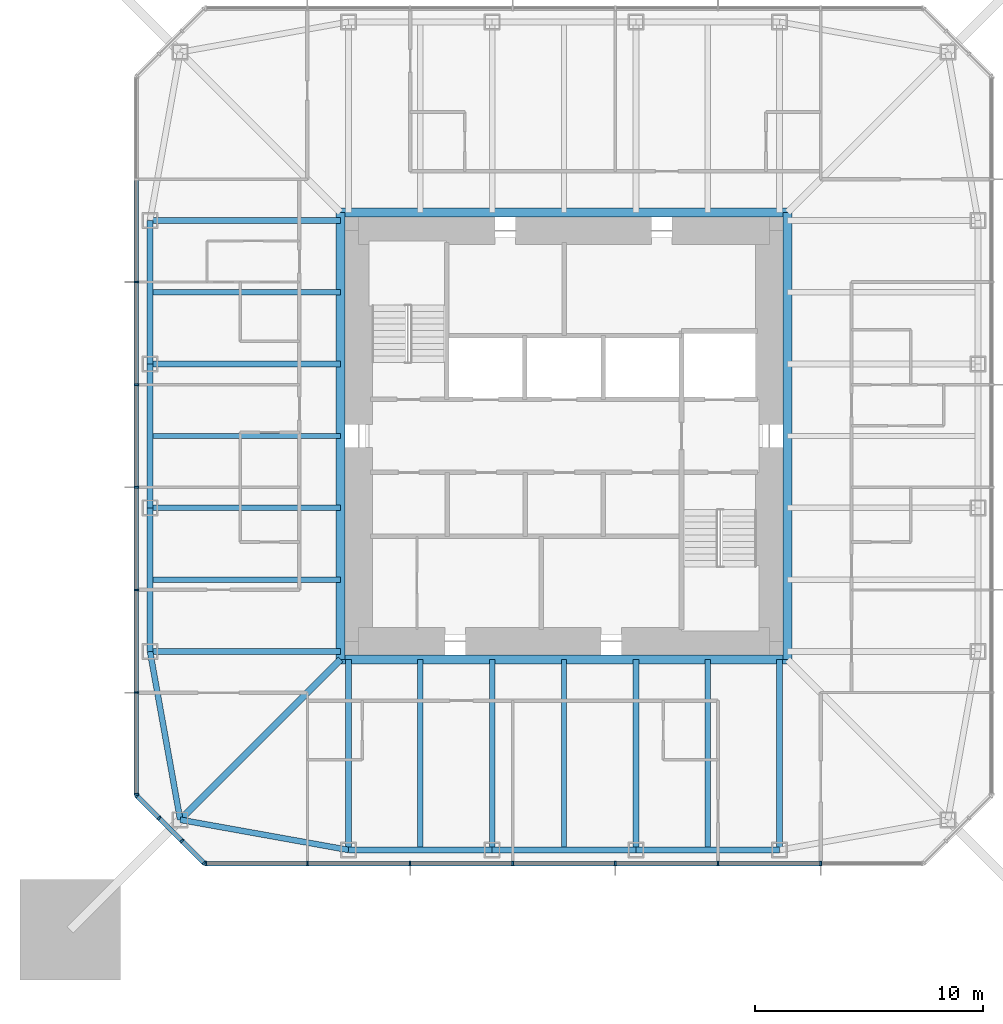
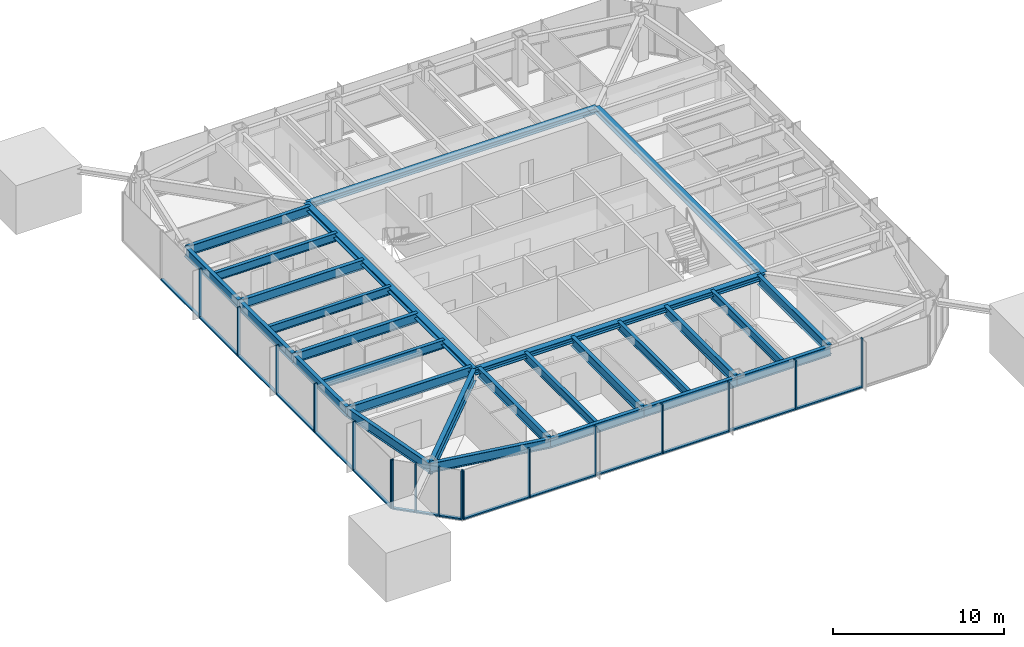
# One storey, part 2 of 11: 32 members, 27 beams, 3 elements without a shape of their own.
"""IFC4 building model written with IfcOpenShell, lengths in metres."""

from ifc_helpers import new_model, si_unit, direction, frame, origin, origin_2d, place, context, subcontext, project, spatial, rectangle, i_section, extrude, material, material_profile, profile_set, type_object, element, aggregate, save


model = new_model("IFC4")

# Units and contexts
model_context = context("Model", 3, precision=1e-05, world=origin(), true_north=direction((0.0, 1.0)))
body_context = subcontext(model_context, "Body", "Model", "MODEL_VIEW")
ifc_project = project(units=[si_unit("LENGTHUNIT", "METRE"), si_unit("AREAUNIT", "SQUARE_METRE"), si_unit("VOLUMEUNIT", "CUBIC_METRE"), si_unit("PLANEANGLEUNIT", "RADIAN"), si_unit("MASSUNIT", "GRAM", prefix="KILO")], contexts=[model_context])

# Site, building, storey
site_placement = place(None, origin())
site = spatial("IfcSite", under=ifc_project, at=site_placement, CompositionType="ELEMENT")
building_placement = place(site_placement, origin())
building = spatial("IfcBuilding", under=site, at=building_placement, Name="Iwan Alto Co-Living Towers", CompositionType="ELEMENT")
storey_placement = place(building_placement, frame((0.0, 0.0, 202.0)))
storey = spatial("IfcBuildingStorey", under=building, at=storey_placement, Name="L55", CompositionType="ELEMENT", Elevation=202.0)

# Curtain wall, members
ifc_material_1 = material(Name="Bronze aluminium unitised frame", Category="aluminium")
curtain_wall_type_1 = type_object("IfcCurtainWallType", Name="CURTAIN WALL CW-A", PredefinedType="NOTDEFINED", material=ifc_material_1)
curtain_wall_1_placement = place(storey_placement, origin())
curtain_wall_1 = element("IfcCurtainWall", 1, at=curtain_wall_1_placement, inside=storey, type_object=curtain_wall_type_1, Name="T1 curtain wall S L55", PredefinedType="NOTDEFINED")
ifc_material_2 = material(Name="Aluminium 6063-T6 bronze anodised", Category="aluminium")
ifc_material_profile_1 = material_profile(ifc_material_2, rectangle(XDim=0.199951171875, YDim=0.080078125, at=origin_2d()), Name="AL 80X200")
ifc_profile_set_1 = profile_set([ifc_material_profile_1], Name="Aluminium 6063-T6 bronze anodised")
member_type_1 = type_object("IfcMemberType", Name="CW-A MULLION 80X200", PredefinedType="MULLION", material=ifc_profile_set_1)
member_1_placement = place(storey_placement, frame((-15.7099609375, -18.75, 0.0), z_axis=(0.0, 0.0, 1.0), x_axis=(0.0, 1.0, 0.0)))
member_1 = element("IfcMember", 2, at=member_1_placement, type_object=member_type_1, Name="CW-A mullion 1", PredefinedType="MULLION", context=body_context, shape_type="SweptSolid", body=[
    extrude(rectangle(XDim=0.199951171875, YDim=0.080078125, at=origin_2d()), origin(), (0.0, 0.0, 1.0), 3.5),
])
member_2_placement = place(storey_placement, frame((-11.25, -18.75, 0.0), z_axis=(0.0, 0.0, 1.0), x_axis=(0.0, 1.0, 0.0)))
member_2 = element("IfcMember", 3, at=member_2_placement, type_object=member_type_1, Name="CW-A mullion 2", PredefinedType="MULLION", context=body_context, shape_type="SweptSolid", body=[
    extrude(rectangle(XDim=0.199951171875, YDim=0.080078125, at=origin_2d()), origin(), (0.0, 0.0, 1.0), 3.5),
])
member_3_placement = place(storey_placement, frame((-6.75, -18.75, 0.0), z_axis=(0.0, 0.0, 1.0), x_axis=(0.0, 1.0, 0.0)))
member_3 = element("IfcMember", 4, at=member_3_placement, type_object=member_type_1, Name="CW-A mullion 3", PredefinedType="MULLION", context=body_context, shape_type="SweptSolid", body=[
    extrude(rectangle(XDim=0.199951171875, YDim=0.080078125, at=origin_2d()), origin(), (0.0, 0.0, 1.0), 3.5),
])
member_4_placement = place(storey_placement, frame((-2.25, -18.75, 0.0), z_axis=(0.0, 0.0, 1.0), x_axis=(0.0, 1.0, 0.0)))
member_4 = element("IfcMember", 5, at=member_4_placement, type_object=member_type_1, Name="CW-A mullion 4", PredefinedType="MULLION", context=body_context, shape_type="SweptSolid", body=[
    extrude(rectangle(XDim=0.199951171875, YDim=0.080078125, at=origin_2d()), origin(), (0.0, 0.0, 1.0), 3.5),
])
member_5_placement = place(storey_placement, frame((2.25, -18.75, 0.0), z_axis=(0.0, 0.0, 1.0), x_axis=(0.0, 1.0, 0.0)))
member_5 = element("IfcMember", 6, at=member_5_placement, type_object=member_type_1, Name="CW-A mullion 5", PredefinedType="MULLION", context=body_context, shape_type="SweptSolid", body=[
    extrude(rectangle(XDim=0.199951171875, YDim=0.080078125, at=origin_2d()), origin(), (0.0, 0.0, 1.0), 3.5),
])
member_6_placement = place(storey_placement, frame((6.75, -18.75, 0.0), z_axis=(0.0, 0.0, 1.0), x_axis=(0.0, 1.0, 0.0)))
member_6 = element("IfcMember", 7, at=member_6_placement, type_object=member_type_1, Name="CW-A mullion 6", PredefinedType="MULLION", context=body_context, shape_type="SweptSolid", body=[
    extrude(rectangle(XDim=0.199951171875, YDim=0.080078125, at=origin_2d()), origin(), (0.0, 0.0, 1.0), 3.5),
])
member_7_placement = place(storey_placement, frame((11.25, -18.75, 0.0), z_axis=(0.0, 0.0, 1.0), x_axis=(0.0, 1.0, 0.0)))
member_7 = element("IfcMember", 8, at=member_7_placement, type_object=member_type_1, Name="CW-A mullion 7", PredefinedType="MULLION", context=body_context, shape_type="SweptSolid", body=[
    extrude(rectangle(XDim=0.199951171875, YDim=0.080078125, at=origin_2d()), origin(), (0.0, 0.0, 1.0), 3.5),
])

curtain_wall_2_placement = place(storey_placement, origin())
curtain_wall_2 = element("IfcCurtainWall", 9, at=curtain_wall_2_placement, inside=storey, type_object=curtain_wall_type_1, Name="T1 curtain wall W L55", PredefinedType="NOTDEFINED")
member_8_placement = place(storey_placement, frame((-18.75, 6.75, 0.0), z_axis=(0.0, 0.0, 1.0), x_axis=(1.0, 0.0, 0.0)))
member_8 = element("IfcMember", 10, at=member_8_placement, type_object=member_type_1, Name="CW-A mullion 3", PredefinedType="MULLION", context=body_context, shape_type="SweptSolid", body=[
    extrude(rectangle(XDim=0.199951171875, YDim=0.080078125, at=origin_2d()), origin(), (0.0, 0.0, 1.0), 3.5),
])
member_9_placement = place(storey_placement, frame((-18.75, 2.25, 0.0), z_axis=(0.0, 0.0, 1.0), x_axis=(1.0, 0.0, 0.0)))
member_9 = element("IfcMember", 11, at=member_9_placement, type_object=member_type_1, Name="CW-A mullion 4", PredefinedType="MULLION", context=body_context, shape_type="SweptSolid", body=[
    extrude(rectangle(XDim=0.199951171875, YDim=0.080078125, at=origin_2d()), origin(), (0.0, 0.0, 1.0), 3.5),
])
member_10_placement = place(storey_placement, frame((-18.75, -2.25, 0.0), z_axis=(0.0, 0.0, 1.0), x_axis=(1.0, 0.0, 0.0)))
member_10 = element("IfcMember", 12, at=member_10_placement, type_object=member_type_1, Name="CW-A mullion 5", PredefinedType="MULLION", context=body_context, shape_type="SweptSolid", body=[
    extrude(rectangle(XDim=0.199951171875, YDim=0.080078125, at=origin_2d()), origin(), (0.0, 0.0, 1.0), 3.5),
])
member_11_placement = place(storey_placement, frame((-18.75, -6.75, 0.0), z_axis=(0.0, 0.0, 1.0), x_axis=(1.0, 0.0, 0.0)))
member_11 = element("IfcMember", 13, at=member_11_placement, type_object=member_type_1, Name="CW-A mullion 6", PredefinedType="MULLION", context=body_context, shape_type="SweptSolid", body=[
    extrude(rectangle(XDim=0.199951171875, YDim=0.080078125, at=origin_2d()), origin(), (0.0, 0.0, 1.0), 3.5),
])
member_12_placement = place(storey_placement, frame((-18.75, -11.25, 0.0), z_axis=(0.0, 0.0, 1.0), x_axis=(1.0, 0.0, 0.0)))
member_12 = element("IfcMember", 14, at=member_12_placement, type_object=member_type_1, Name="CW-A mullion 7", PredefinedType="MULLION", context=body_context, shape_type="SweptSolid", body=[
    extrude(rectangle(XDim=0.199951171875, YDim=0.080078125, at=origin_2d()), origin(), (0.0, 0.0, 1.0), 3.5),
])
member_13_placement = place(storey_placement, frame((-18.75, -15.7099609375, 0.0), z_axis=(0.0, 0.0, 1.0), x_axis=(1.0, 0.0, 0.0)))
member_13 = element("IfcMember", 15, at=member_13_placement, type_object=member_type_1, Name="CW-A mullion 8", PredefinedType="MULLION", context=body_context, shape_type="SweptSolid", body=[
    extrude(rectangle(XDim=0.199951171875, YDim=0.080078125, at=origin_2d()), origin(), (0.0, 0.0, 1.0), 3.5),
])

# Member
ifc_material_3 = material(Name="Aluminium 6063-T6 bronze anodised", Category="aluminium")
ifc_material_profile_2 = material_profile(ifc_material_3, rectangle(XDim=0.199951171875, YDim=0.10009765625, at=origin_2d()), Name="AL 200X100")
ifc_profile_set_2 = profile_set([ifc_material_profile_2], Name="Aluminium 6063-T6 bronze anodised")
member_type_2 = type_object("IfcMemberType", Name="CW-A TRANSOM 200X100", PredefinedType="USERDEFINED", material=ifc_profile_set_2)
member_14_placement = place(storey_placement, frame((-15.669921875, -18.75, 0.050048828125), z_axis=(1.0, 0.0, 0.0), x_axis=(0.0, 1.0, 0.0)))
member_14 = element("IfcMember", 16, at=member_14_placement, type_object=member_type_2, Name="CW-A transom 1.1", ObjectType="TRANSOM", PredefinedType="USERDEFINED", context=body_context, shape_type="SweptSolid", body=[
    extrude(rectangle(XDim=0.199951171875, YDim=0.10009765625, at=origin_2d()), origin(), (0.0, 0.0, 1.0), 4.3798828125),
])

member_15_placement = place(storey_placement, frame((-11.2099609375, -18.75, 0.050048828125), z_axis=(1.0, 0.0, 0.0), x_axis=(0.0, 1.0, 0.0)))
member_15 = element("IfcMember", 17, at=member_15_placement, type_object=member_type_2, Name="CW-A transom 2.1", ObjectType="TRANSOM", PredefinedType="USERDEFINED", context=body_context, shape_type="SweptSolid", body=[
    extrude(rectangle(XDim=0.199951171875, YDim=0.10009765625, at=origin_2d()), origin(), (0.0, 0.0, 1.0), 4.419921875),
])

member_16_placement = place(storey_placement, frame((-6.7099609375, -18.75, 0.050048828125), z_axis=(1.0, 0.0, 0.0), x_axis=(0.0, 1.0, 0.0)))
member_16 = element("IfcMember", 18, at=member_16_placement, type_object=member_type_2, Name="CW-A transom 3.1", ObjectType="TRANSOM", PredefinedType="USERDEFINED", context=body_context, shape_type="SweptSolid", body=[
    extrude(rectangle(XDim=0.199951171875, YDim=0.10009765625, at=origin_2d()), origin(), (0.0, 0.0, 1.0), 4.419921875),
])

member_17_placement = place(storey_placement, frame((-2.2099609375, -18.75, 0.050048828125), z_axis=(1.0, 0.0, 0.0), x_axis=(0.0, 1.0, 0.0)))
member_17 = element("IfcMember", 19, at=member_17_placement, type_object=member_type_2, Name="CW-A transom 4.1", ObjectType="TRANSOM", PredefinedType="USERDEFINED", context=body_context, shape_type="SweptSolid", body=[
    extrude(rectangle(XDim=0.199951171875, YDim=0.10009765625, at=origin_2d()), origin(), (0.0, 0.0, 1.0), 4.419921875),
])

member_18_placement = place(storey_placement, frame((2.2900390625, -18.75, 0.050048828125), z_axis=(1.0, 0.0, 0.0), x_axis=(0.0, 1.0, 0.0)))
member_18 = element("IfcMember", 20, at=member_18_placement, type_object=member_type_2, Name="CW-A transom 5.1", ObjectType="TRANSOM", PredefinedType="USERDEFINED", context=body_context, shape_type="SweptSolid", body=[
    extrude(rectangle(XDim=0.199951171875, YDim=0.10009765625, at=origin_2d()), origin(), (0.0, 0.0, 1.0), 4.419921875),
])

member_19_placement = place(storey_placement, frame((6.7900390625, -18.75, 0.050048828125), z_axis=(1.0, 0.0, 0.0), x_axis=(0.0, 1.0, 0.0)))
member_19 = element("IfcMember", 21, at=member_19_placement, type_object=member_type_2, Name="CW-A transom 6.1", ObjectType="TRANSOM", PredefinedType="USERDEFINED", context=body_context, shape_type="SweptSolid", body=[
    extrude(rectangle(XDim=0.199951171875, YDim=0.10009765625, at=origin_2d()), origin(), (0.0, 0.0, 1.0), 4.419921875),
])

aggregate(curtain_wall_1, [member_1, member_2, member_3, member_4, member_5, member_6, member_7, member_14, member_15, member_16, member_17, member_18, member_19])

member_20_placement = place(storey_placement, frame((-18.75, 11.2099609375, 0.050048828125), z_axis=(0.0, -1.0, 0.0), x_axis=(1.0, 0.0, 0.0)))
member_20 = element("IfcMember", 22, at=member_20_placement, type_object=member_type_2, Name="CW-A transom 2.1", ObjectType="TRANSOM", PredefinedType="USERDEFINED", context=body_context, shape_type="SweptSolid", body=[
    extrude(rectangle(XDim=0.199951171875, YDim=0.10009765625, at=origin_2d()), origin(), (0.0, 0.0, 1.0), 4.419921875),
])

member_21_placement = place(storey_placement, frame((-18.75, 6.7099609375, 0.050048828125), z_axis=(0.0, -1.0, 0.0), x_axis=(1.0, 0.0, 0.0)))
member_21 = element("IfcMember", 23, at=member_21_placement, type_object=member_type_2, Name="CW-A transom 3.1", ObjectType="TRANSOM", PredefinedType="USERDEFINED", context=body_context, shape_type="SweptSolid", body=[
    extrude(rectangle(XDim=0.199951171875, YDim=0.10009765625, at=origin_2d()), origin(), (0.0, 0.0, 1.0), 4.419921875),
])

member_22_placement = place(storey_placement, frame((-18.75, 2.2099609375, 0.050048828125), z_axis=(0.0, -1.0, 0.0), x_axis=(1.0, 0.0, 0.0)))
member_22 = element("IfcMember", 24, at=member_22_placement, type_object=member_type_2, Name="CW-A transom 4.1", ObjectType="TRANSOM", PredefinedType="USERDEFINED", context=body_context, shape_type="SweptSolid", body=[
    extrude(rectangle(XDim=0.199951171875, YDim=0.10009765625, at=origin_2d()), origin(), (0.0, 0.0, 1.0), 4.419921875),
])

member_23_placement = place(storey_placement, frame((-18.75, -2.2900390625, 0.050048828125), z_axis=(0.0, -1.0, 0.0), x_axis=(1.0, 0.0, 0.0)))
member_23 = element("IfcMember", 25, at=member_23_placement, type_object=member_type_2, Name="CW-A transom 5.1", ObjectType="TRANSOM", PredefinedType="USERDEFINED", context=body_context, shape_type="SweptSolid", body=[
    extrude(rectangle(XDim=0.199951171875, YDim=0.10009765625, at=origin_2d()), origin(), (0.0, 0.0, 1.0), 4.419921875),
])

member_24_placement = place(storey_placement, frame((-18.75, -6.7900390625, 0.050048828125), z_axis=(0.0, -1.0, 0.0), x_axis=(1.0, 0.0, 0.0)))
member_24 = element("IfcMember", 26, at=member_24_placement, type_object=member_type_2, Name="CW-A transom 6.1", ObjectType="TRANSOM", PredefinedType="USERDEFINED", context=body_context, shape_type="SweptSolid", body=[
    extrude(rectangle(XDim=0.199951171875, YDim=0.10009765625, at=origin_2d()), origin(), (0.0, 0.0, 1.0), 4.419921875),
])

member_25_placement = place(storey_placement, frame((-18.75, -11.2900390625, 0.050048828125), z_axis=(0.0, -1.0, 0.0), x_axis=(1.0, 0.0, 0.0)))
member_25 = element("IfcMember", 27, at=member_25_placement, type_object=member_type_2, Name="CW-A transom 7.1", ObjectType="TRANSOM", PredefinedType="USERDEFINED", context=body_context, shape_type="SweptSolid", body=[
    extrude(rectangle(XDim=0.199951171875, YDim=0.10009765625, at=origin_2d()), origin(), (0.0, 0.0, 1.0), 4.3798828125),
])

aggregate(curtain_wall_2, [member_8, member_9, member_10, member_11, member_12, member_13, member_20, member_21, member_22, member_23, member_24, member_25])

# Curtain wall, members
ifc_material_4 = material(Name="Bronze aluminium unitised frame", Category="aluminium")
curtain_wall_type_2 = type_object("IfcCurtainWallType", Name="CURTAIN WALL CW-B", PredefinedType="NOTDEFINED", material=ifc_material_4)
curtain_wall_3_placement = place(storey_placement, origin())
curtain_wall_3 = element("IfcCurtainWall", 28, at=curtain_wall_3_placement, inside=storey, type_object=curtain_wall_type_2, Name="T1 chamfer curtain wall SW L55", PredefinedType="NOTDEFINED")
ifc_material_5 = material(Name="Aluminium 6063-T6 bronze anodised", Category="aluminium")
ifc_material_profile_3 = material_profile(ifc_material_5, rectangle(XDim=0.199951171875, YDim=0.080078125, at=origin_2d()), Name="AL 80X200")
ifc_profile_set_3 = profile_set([ifc_material_profile_3], Name="Aluminium 6063-T6 bronze anodised")
member_type_3 = type_object("IfcMemberType", Name="CW-B MULLION 80X200", PredefinedType="MULLION", material=ifc_profile_set_3)
member_26_placement = place(storey_placement, frame((-18.7216796875, -15.7783203125, 0.0), z_axis=(0.0, 0.0, 1.0), x_axis=(0.707106781187, 0.707106781187, 0.0)))
member_26 = element("IfcMember", 29, at=member_26_placement, type_object=member_type_3, Name="CW-B mullion 1", PredefinedType="MULLION", context=body_context, shape_type="SweptSolid", body=[
    extrude(rectangle(XDim=0.199951171875, YDim=0.080078125, at=origin_2d()), origin(), (0.0, 0.0, 1.0), 3.5),
])
member_27_placement = place(storey_placement, frame((-17.75, -16.75, 0.0), z_axis=(0.0, 0.0, 1.0), x_axis=(0.707106781187, 0.707106781187, 0.0)))
member_27 = element("IfcMember", 30, at=member_27_placement, type_object=member_type_3, Name="CW-B mullion 2", PredefinedType="MULLION", context=body_context, shape_type="SweptSolid", body=[
    extrude(rectangle(XDim=0.199951171875, YDim=0.080078125, at=origin_2d()), origin(), (0.0, 0.0, 1.0), 3.5),
])
member_28_placement = place(storey_placement, frame((-16.75, -17.75, 0.0), z_axis=(0.0, 0.0, 1.0), x_axis=(0.707106781187, 0.707106781187, 0.0)))
member_28 = element("IfcMember", 31, at=member_28_placement, type_object=member_type_3, Name="CW-B mullion 3", PredefinedType="MULLION", context=body_context, shape_type="SweptSolid", body=[
    extrude(rectangle(XDim=0.199951171875, YDim=0.080078125, at=origin_2d()), origin(), (0.0, 0.0, 1.0), 3.5),
])
member_29_placement = place(storey_placement, frame((-15.7783203125, -18.7216796875, 0.0), z_axis=(0.0, 0.0, 1.0), x_axis=(0.707106781187, 0.707106781187, 0.0)))
member_29 = element("IfcMember", 32, at=member_29_placement, type_object=member_type_3, Name="CW-B mullion 4", PredefinedType="MULLION", context=body_context, shape_type="SweptSolid", body=[
    extrude(rectangle(XDim=0.199951171875, YDim=0.080078125, at=origin_2d()), origin(), (0.0, 0.0, 1.0), 3.5),
])
ifc_material_6 = material(Name="Aluminium 6063-T6 bronze anodised", Category="aluminium")
ifc_material_profile_4 = material_profile(ifc_material_6, rectangle(XDim=0.199951171875, YDim=0.10009765625, at=origin_2d()), Name="AL 200X100")
ifc_profile_set_4 = profile_set([ifc_material_profile_4], Name="Aluminium 6063-T6 bronze anodised")
member_type_4 = type_object("IfcMemberType", Name="CW-B TRANSOM 200X100", PredefinedType="USERDEFINED", material=ifc_profile_set_4)
member_30_placement = place(storey_placement, frame((-18.693359375, -15.806640625, 0.050048828125), z_axis=(0.707106781187, -0.707106781187, 0.0), x_axis=(0.707106781187, 0.707106781187, 0.0)))
member_30 = element("IfcMember", 33, at=member_30_placement, type_object=member_type_4, Name="CW-B transom 1.1", ObjectType="TRANSOM", PredefinedType="USERDEFINED", context=body_context, shape_type="SweptSolid", body=[
    extrude(rectangle(XDim=0.199951171875, YDim=0.10009765625, at=origin_2d()), origin(), (0.0, 0.0, 1.0), 1.2939453125),
])
member_31_placement = place(storey_placement, frame((-17.7216796875, -16.7783203125, 0.050048828125), z_axis=(0.707106781187, -0.707106781187, 0.0), x_axis=(0.707106781187, 0.707106781187, 0.0)))
member_31 = element("IfcMember", 34, at=member_31_placement, type_object=member_type_4, Name="CW-B transom 2.1", ObjectType="TRANSOM", PredefinedType="USERDEFINED", context=body_context, shape_type="SweptSolid", body=[
    extrude(rectangle(XDim=0.199951171875, YDim=0.10009765625, at=origin_2d()), origin(), (0.0, 0.0, 1.0), 1.334228515625),
])
member_32_placement = place(storey_placement, frame((-16.7216796875, -17.7783203125, 0.050048828125), z_axis=(0.707106781187, -0.707106781187, 0.0), x_axis=(0.707106781187, 0.707106781187, 0.0)))
member_32 = element("IfcMember", 35, at=member_32_placement, type_object=member_type_4, Name="CW-B transom 3.1", ObjectType="TRANSOM", PredefinedType="USERDEFINED", context=body_context, shape_type="SweptSolid", body=[
    extrude(rectangle(XDim=0.199951171875, YDim=0.10009765625, at=origin_2d()), origin(), (0.0, 0.0, 1.0), 1.2939453125),
])
aggregate(curtain_wall_3, [member_26, member_27, member_28, member_29, member_30, member_31, member_32])

# Beams
ifc_material_7 = material(Name="Steel ASTM A992 Gr 50", Category="steel")
ifc_material_profile_5 = material_profile(ifc_material_7, i_section(OverallWidth=0.398681640625, OverallDepth=0.385986328125, WebThickness=0.02099609375, FlangeThickness=0.033203125, at=origin_2d()), Name="W14X176")
ifc_profile_set_5 = profile_set([ifc_material_profile_5], Name="Steel ASTM A992 Gr 50")
beam_type_1 = type_object("IfcBeamType", Name="T1 CORE LEDGER BEAM W14X176", PredefinedType="BEAM", material=ifc_profile_set_5)
for number, where, z_axis, x_axis, name in (
    (36, (-9.79931640625, -9.79931640625, 3.076904296875), (1.0, 0.0, 0.0), (0.0, 1.0, 0.0), "T1 core ledger beam S L56"),
    (37, (9.79931640625, -9.79931640625, 3.076904296875), (0.0, 1.0, 0.0), (-1.0, 0.0, 0.0), "T1 core ledger beam E L56"),
    (38, (9.79931640625, 9.79931640625, 3.076904296875), (-1.0, 0.0, 0.0), (0.0, -1.0, 0.0), "T1 core ledger beam N L56"),
    (39, (-9.79931640625, 9.79931640625, 3.076904296875), (0.0, -1.0, 0.0), (1.0, 0.0, 0.0), "T1 core ledger beam W L56"),
):
    element("IfcBeam", number, at=place(storey_placement, frame(where, z_axis=z_axis, x_axis=x_axis)), inside=storey, type_object=beam_type_1, Name=name, PredefinedType="BEAM", context=body_context, shape_type="SweptSolid", body=[
        extrude(i_section(OverallWidth=0.398681640625, OverallDepth=0.385986328125, WebThickness=0.02099609375, FlangeThickness=0.033203125, at=origin_2d()), origin(), (0.0, 0.0, 1.0), 19.5986328125),
    ])
ifc_material_8 = material(Name="Steel ASTM A992 Gr 50", Category="steel")
ifc_material_profile_6 = material_profile(ifc_material_8, i_section(OverallWidth=0.2919921875, OverallDepth=0.8408203125, WebThickness=0.0146484375, FlangeThickness=0.021728515625, at=origin_2d()), Name="W33X130")
ifc_profile_set_6 = profile_set([ifc_material_profile_6], Name="Steel ASTM A992 Gr 50")
beam_type_2 = type_object("IfcBeamType", Name="T1 CORNER GIRDER W33X130", PredefinedType="BEAM", material=ifc_profile_set_6)
beam_1_placement = place(storey_placement, frame((-16.82568359375, -16.82568359375, 2.849609375), z_axis=(0.707106781187, 0.707106781187, 0.0), x_axis=(-0.707106781187, 0.707106781187, 0.0)))
element("IfcBeam", 40, at=beam_1_placement, inside=storey, type_object=beam_type_2, Name="T1 corner girder CSW L56", PredefinedType="BEAM", context=body_context, shape_type="SweptSolid", body=[
    extrude(i_section(OverallWidth=0.2919921875, OverallDepth=0.8408203125, WebThickness=0.0146484375, FlangeThickness=0.021728515625, at=origin_2d()), origin(), (0.0, 0.0, 1.0), 9.936767578125),
])
ifc_material_9 = material(Name="Steel ASTM A992 Gr 50", Category="steel")
ifc_material_profile_7 = material_profile(ifc_material_9, i_section(OverallWidth=0.25390625, OverallDepth=0.683349609375, WebThickness=0.012451171875, FlangeThickness=0.018798828125, at=origin_2d()), Name="W27X94")
ifc_profile_set_7 = profile_set([ifc_material_profile_7], Name="Steel ASTM A992 Gr 50")
beam_type_3 = type_object("IfcBeamType", Name="T1 EDGE BEAM W27X94", PredefinedType="BEAM", material=ifc_profile_set_7)
beam_2_placement = place(storey_placement, frame((-16.82568359375, -16.82568359375, 2.928466796875), z_axis=(0.98426263553, -0.17671181143, 0.0), x_axis=(0.17671181143, 0.98426263553, 0.0)))
element("IfcBeam", 41, at=beam_2_placement, inside=storey, type_object=beam_type_3, Name="T1 edge beam CSW L56", PredefinedType="BEAM", context=body_context, shape_type="SweptSolid", body=[
    extrude(i_section(OverallWidth=0.25390625, OverallDepth=0.683349609375, WebThickness=0.012451171875, FlangeThickness=0.018798828125, at=origin_2d()), origin(), (0.0, 0.0, 1.0), 7.49365234375),
])
beam_3_placement = place(storey_placement, frame((-9.449951171875, -18.14990234375, 2.928466796875), z_axis=(1.0, 0.0, 0.0), x_axis=(0.0, 1.0, 0.0)))
element("IfcBeam", 42, at=beam_3_placement, inside=storey, type_object=beam_type_3, Name="T1 edge beam S1 L56", PredefinedType="BEAM", context=body_context, shape_type="SweptSolid", body=[
    extrude(i_section(OverallWidth=0.25390625, OverallDepth=0.683349609375, WebThickness=0.012451171875, FlangeThickness=0.018798828125, at=origin_2d()), origin(), (0.0, 0.0, 1.0), 6.300048828125),
])
beam_4_placement = place(storey_placement, frame((-3.14990234375, -18.14990234375, 2.928466796875), z_axis=(1.0, 0.0, 0.0), x_axis=(0.0, 1.0, 0.0)))
element("IfcBeam", 43, at=beam_4_placement, inside=storey, type_object=beam_type_3, Name="T1 edge beam S2 L56", PredefinedType="BEAM", context=body_context, shape_type="SweptSolid", body=[
    extrude(i_section(OverallWidth=0.25390625, OverallDepth=0.683349609375, WebThickness=0.012451171875, FlangeThickness=0.018798828125, at=origin_2d()), origin(), (0.0, 0.0, 1.0), 6.2998046875),
])
for number, where, z_axis, x_axis, name in (
    (44, (3.14990234375, -18.14990234375, 2.928466796875), (1.0, 0.0, 0.0), (0.0, 1.0, 0.0), "T1 edge beam S3 L56"),
    (45, (-18.14990234375, 9.449951171875, 2.928466796875), (0.0, -1.0, 0.0), (1.0, 0.0, 0.0), "T1 edge beam W1 L56"),
):
    element("IfcBeam", number, at=place(storey_placement, frame(where, z_axis=z_axis, x_axis=x_axis)), inside=storey, type_object=beam_type_3, Name=name, PredefinedType="BEAM", context=body_context, shape_type="SweptSolid", body=[
        extrude(i_section(OverallWidth=0.25390625, OverallDepth=0.683349609375, WebThickness=0.012451171875, FlangeThickness=0.018798828125, at=origin_2d()), origin(), (0.0, 0.0, 1.0), 6.300048828125),
    ])
beam_5_placement = place(storey_placement, frame((-18.14990234375, 3.14990234375, 2.928466796875), z_axis=(0.0, -1.0, 0.0), x_axis=(1.0, 0.0, 0.0)))
element("IfcBeam", 46, at=beam_5_placement, inside=storey, type_object=beam_type_3, Name="T1 edge beam W2 L56", PredefinedType="BEAM", context=body_context, shape_type="SweptSolid", body=[
    extrude(i_section(OverallWidth=0.25390625, OverallDepth=0.683349609375, WebThickness=0.012451171875, FlangeThickness=0.018798828125, at=origin_2d()), origin(), (0.0, 0.0, 1.0), 6.2998046875),
])
beam_6_placement = place(storey_placement, frame((-18.14990234375, -3.14990234375, 2.928466796875), z_axis=(0.0, -1.0, 0.0), x_axis=(1.0, 0.0, 0.0)))
element("IfcBeam", 47, at=beam_6_placement, inside=storey, type_object=beam_type_3, Name="T1 edge beam W3 L56", PredefinedType="BEAM", context=body_context, shape_type="SweptSolid", body=[
    extrude(i_section(OverallWidth=0.25390625, OverallDepth=0.683349609375, WebThickness=0.012451171875, FlangeThickness=0.018798828125, at=origin_2d()), origin(), (0.0, 0.0, 1.0), 6.300048828125),
])
beam_7_placement = place(storey_placement, frame((-18.14990234375, -9.449951171875, 2.928466796875), z_axis=(0.17671181143, -0.98426263553, 0.0), x_axis=(0.98426263553, 0.17671181143, 0.0)))
element("IfcBeam", 48, at=beam_7_placement, inside=storey, type_object=beam_type_3, Name="T1 edge beam W4 L56", PredefinedType="BEAM", context=body_context, shape_type="SweptSolid", body=[
    extrude(i_section(OverallWidth=0.25390625, OverallDepth=0.683349609375, WebThickness=0.012451171875, FlangeThickness=0.018798828125, at=origin_2d()), origin(), (0.0, 0.0, 1.0), 7.49365234375),
])
ifc_material_10 = material(Name="Steel ASTM A992 Gr 50", Category="steel")
ifc_material_profile_8 = material_profile(ifc_material_10, i_section(OverallWidth=0.25390625, OverallDepth=0.683349609375, WebThickness=0.012451171875, FlangeThickness=0.018798828125, at=origin_2d()), Name="W27X94")
ifc_profile_set_8 = profile_set([ifc_material_profile_8], Name="Steel ASTM A992 Gr 50")
beam_type_4 = type_object("IfcBeamType", Name="T1 RADIAL BEAM W27X94", PredefinedType="BEAM", material=ifc_profile_set_8)
for number, where, z_axis, x_axis, name in (
    (49, (-9.449951171875, -18.14990234375, 2.928466796875), (0.0, 1.0, 0.0), (-1.0, 0.0, 0.0), "T1 radial beam S1 L56"),
    (50, (-3.14990234375, -18.14990234375, 2.928466796875), (0.0, 1.0, 0.0), (-1.0, 0.0, 0.0), "T1 radial beam S2 L56"),
    (51, (3.14990234375, -18.14990234375, 2.928466796875), (0.0, 1.0, 0.0), (-1.0, 0.0, 0.0), "T1 radial beam S3 L56"),
    (52, (9.449951171875, -18.14990234375, 2.928466796875), (0.0, 1.0, 0.0), (-1.0, 0.0, 0.0), "T1 radial beam S4 L56"),
    (53, (-18.14990234375, 9.449951171875, 2.928466796875), (1.0, 0.0, 0.0), (0.0, 1.0, 0.0), "T1 radial beam W1 L56"),
    (54, (-18.14990234375, 3.14990234375, 2.928466796875), (1.0, 0.0, 0.0), (0.0, 1.0, 0.0), "T1 radial beam W2 L56"),
    (55, (-18.14990234375, -3.14990234375, 2.928466796875), (1.0, 0.0, 0.0), (0.0, 1.0, 0.0), "T1 radial beam W3 L56"),
    (56, (-18.14990234375, -9.449951171875, 2.928466796875), (1.0, 0.0, 0.0), (0.0, 1.0, 0.0), "T1 radial beam W4 L56"),
):
    element("IfcBeam", number, at=place(storey_placement, frame(where, z_axis=z_axis, x_axis=x_axis)), inside=storey, type_object=beam_type_4, Name=name, PredefinedType="BEAM", context=body_context, shape_type="SweptSolid", body=[
        extrude(i_section(OverallWidth=0.25390625, OverallDepth=0.683349609375, WebThickness=0.012451171875, FlangeThickness=0.018798828125, at=origin_2d()), origin(), (0.0, 0.0, 1.0), 8.3505859375),
    ])
ifc_material_11 = material(Name="Steel ASTM A992 Gr 50", Category="steel")
ifc_material_profile_9 = material_profile(ifc_material_11, i_section(OverallWidth=0.228271484375, OverallDepth=0.607177734375, WebThickness=0.01123046875, FlangeThickness=0.017333984375, at=origin_2d()), Name="W24X76")
ifc_profile_set_9 = profile_set([ifc_material_profile_9], Name="Steel ASTM A992 Gr 50")
beam_type_5 = type_object("IfcBeamType", Name="T1 SECONDARY BEAM W24X76", PredefinedType="JOIST", material=ifc_profile_set_9)
for number, where, z_axis, x_axis, name in (
    (57, (-6.300048828125, -18.14990234375, 2.966552734375), (0.0, 1.0, 0.0), (-1.0, 0.0, 0.0), "T1 secondary beam S1 L56"),
    (58, (0.0, -18.14990234375, 2.966552734375), (0.0, 1.0, 0.0), (-1.0, 0.0, 0.0), "T1 secondary beam S2 L56"),
    (59, (6.300048828125, -18.14990234375, 2.966552734375), (0.0, 1.0, 0.0), (-1.0, 0.0, 0.0), "T1 secondary beam S3 L56"),
    (60, (-18.14990234375, 6.300048828125, 2.966552734375), (1.0, 0.0, 0.0), (0.0, 1.0, 0.0), "T1 secondary beam W1 L56"),
    (61, (-18.14990234375, 0.0, 2.966552734375), (1.0, 0.0, 0.0), (0.0, 1.0, 0.0), "T1 secondary beam W2 L56"),
    (62, (-18.14990234375, -6.300048828125, 2.966552734375), (1.0, 0.0, 0.0), (0.0, 1.0, 0.0), "T1 secondary beam W3 L56"),
):
    element("IfcBeam", number, at=place(storey_placement, frame(where, z_axis=z_axis, x_axis=x_axis)), inside=storey, type_object=beam_type_5, Name=name, PredefinedType="JOIST", context=body_context, shape_type="SweptSolid", body=[
        extrude(i_section(OverallWidth=0.228271484375, OverallDepth=0.607177734375, WebThickness=0.01123046875, FlangeThickness=0.017333984375, at=origin_2d()), origin(), (0.0, 0.0, 1.0), 8.3505859375),
    ])

save(model, "model.ifc")
